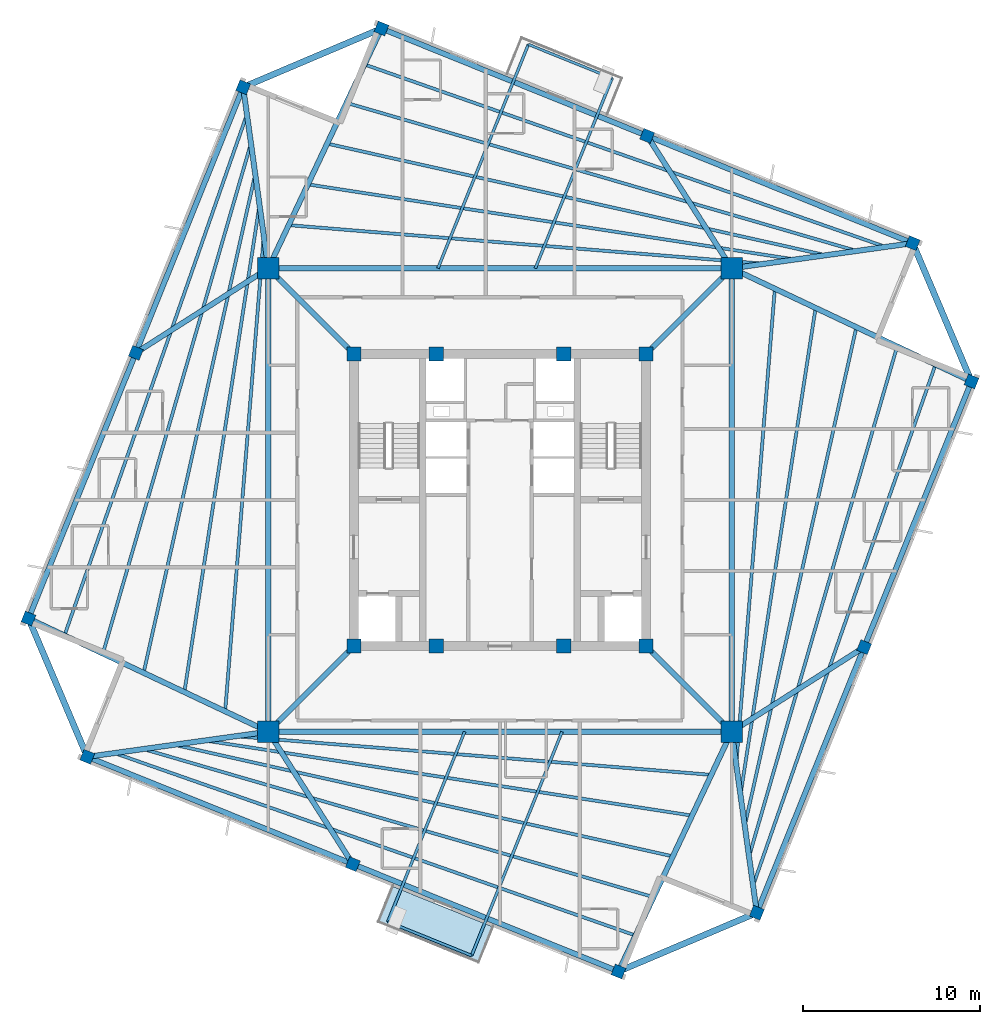
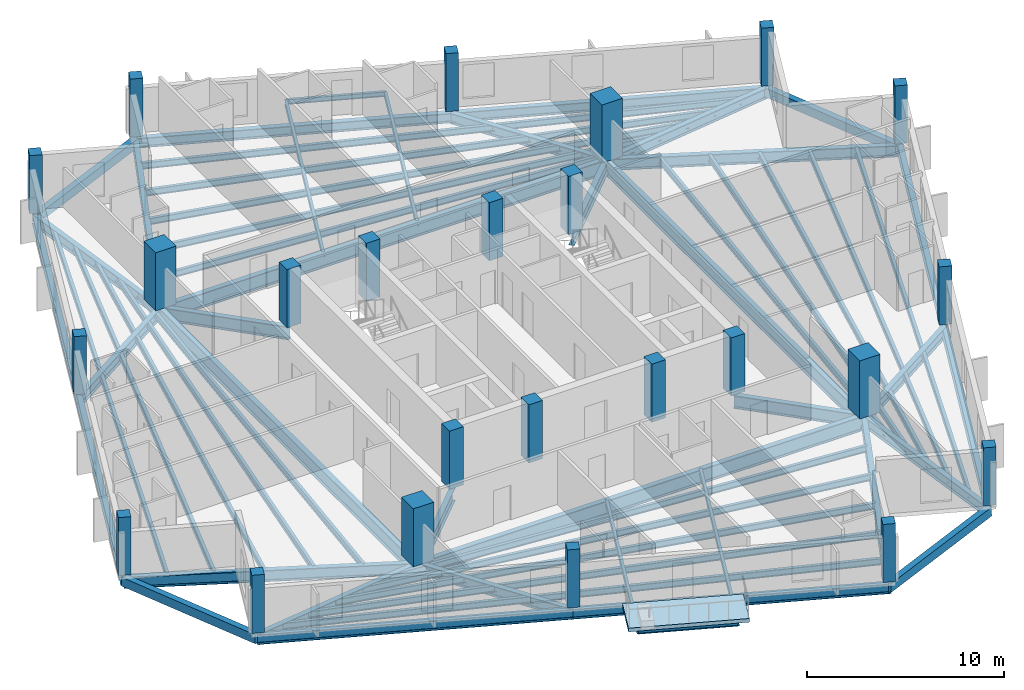
# One storey, part 1 of 9: 58 beams, 24 columns, 1 slab.
"""IFC4 building model written with IfcOpenShell, lengths in metres."""

from ifc_helpers import new_model, si_unit, direction, frame, origin, origin_2d, place, context, subcontext, project, spatial, polyline, rectangle, i_section, outline, extrude, source, transform, mapped, material, layer, layer_set, material_profile, profile_set, type_object, element, save


model = new_model("IFC4")

# Units and contexts
model_context = context("Model", 3, precision=1e-05, world=origin(), true_north=direction((0.0, 1.0)))
body_context = subcontext(model_context, "Body", "Model", "MODEL_VIEW")
ifc_project = project(units=[si_unit("LENGTHUNIT", "METRE"), si_unit("AREAUNIT", "SQUARE_METRE"), si_unit("VOLUMEUNIT", "CUBIC_METRE"), si_unit("PLANEANGLEUNIT", "RADIAN"), si_unit("MASSUNIT", "GRAM", prefix="KILO"), si_unit("THERMODYNAMICTEMPERATUREUNIT", "KELVIN")], contexts=[model_context])

# Site, building, storey
site_placement = place(None, origin())
site = spatial("IfcSite", under=ifc_project, at=site_placement, CompositionType="ELEMENT")
building_placement = place(site_placement, origin())
building = spatial("IfcBuilding", under=site, at=building_placement, Name="Kosmvard Interchange Tower", CompositionType="ELEMENT")
storey_placement = place(building_placement, frame((0.0, 0.0, 276.0)))
storey = spatial("IfcBuildingStorey", under=building, at=storey_placement, Name="L67", CompositionType="ELEMENT", Elevation=276.0)

# Columns
ifc_material_1 = material(Name="Concrete C50/60", Category="concrete")
ifc_material_profile_1 = material_profile(ifc_material_1, rectangle(XDim=0.800048828125, YDim=0.800048828125, at=origin_2d()), Name="CP 800x800")
ifc_profile_set_1 = profile_set([ifc_material_profile_1], Name="Concrete C50/60")
column_type_1 = type_object("IfcColumnType", Name="Core Boundary Pilaster 800x800 C50/60", PredefinedType="PILASTER", material=ifc_profile_set_1)
shared_shape_1 = source(origin(), body_context, "Body", "SweptSolid", [
    extrude(rectangle(XDim=0.800048828125, YDim=0.800048828125, at=origin_2d()), origin(), (0.0, 0.0, 1.0), 3.60009765625),
])
for number, where, z_axis, x_axis, name in (
    (1, (-8.25, -8.25, 0.0), (0.0, 0.0, 1.0), (1.0, 0.0, 0.0), "L67 Core Pilaster CP1"),
    (2, (8.25, -8.25, 0.0), (0.0, 0.0, 1.0), (1.0, 0.0, 0.0), "L67 Core Pilaster CP2"),
    (3, (8.25, 8.25, 0.0), (0.0, 0.0, 1.0), (1.0, 0.0, 0.0), "L67 Core Pilaster CP3"),
    (4, (-8.25, 8.25, 0.0), (0.0, 0.0, 1.0), (1.0, 0.0, 0.0), "L67 Core Pilaster CP4"),
    (5, (-3.60009765625, -8.25, 0.0), (0.0, 0.0, 1.0), (1.0, 0.0, 0.0), "L67 Core Pilaster CP5"),
    (6, (3.60009765625, -8.25, 0.0), (0.0, 0.0, 1.0), (1.0, 0.0, 0.0), "L67 Core Pilaster CP6"),
    (7, (-3.60009765625, 8.25, 0.0), (0.0, 0.0, 1.0), (1.0, 0.0, 0.0), "L67 Core Pilaster CP7"),
    (8, (3.60009765625, 8.25, 0.0), (0.0, 0.0, 1.0), (1.0, 0.0, 0.0), "L67 Core Pilaster CP8"),
):
    element("IfcColumn", number, at=place(storey_placement, frame(where, z_axis=z_axis, x_axis=x_axis)), inside=storey, type_object=column_type_1, Name=name, PredefinedType="PILASTER", context=body_context, shape_type="MappedRepresentation", body=[
        mapped(shared_shape_1, transform((0.0, 0.0, 0.0), scale=1.0)),
    ])
ifc_material_profile_2 = material_profile(ifc_material_1, rectangle(XDim=1.199951171875, YDim=1.199951171875, at=origin_2d()), Name="MC 1200x1200")
ifc_profile_set_2 = profile_set([ifc_material_profile_2], Name="Concrete C50/60")
column_type_2 = type_object("IfcColumnType", Name="Composite Mega-Column 1200x1200 C50/60", PredefinedType="COLUMN", material=ifc_profile_set_2)
shared_shape_2 = source(origin(), body_context, "Body", "SweptSolid", [
    extrude(rectangle(XDim=1.199951171875, YDim=1.199951171875, at=origin_2d()), origin(), (0.0, 0.0, 1.0), 3.60009765625),
])
for number, where, z_axis, x_axis, name in (
    (9, (-13.0810546875, -13.0810546875, 0.0), (0.0, 0.0, 1.0), (1.0, 0.0, 0.0), "L67 Corner Mega-Column MC1"),
    (10, (13.0810546875, -13.0810546875, 0.0), (0.0, 0.0, 1.0), (1.0, 0.0, 0.0), "L67 Corner Mega-Column MC2"),
    (11, (13.0810546875, 13.0810546875, 0.0), (0.0, 0.0, 1.0), (1.0, 0.0, 0.0), "L67 Corner Mega-Column MC3"),
    (12, (-13.0810546875, 13.0810546875, 0.0), (0.0, 0.0, 1.0), (1.0, 0.0, 0.0), "L67 Corner Mega-Column MC4"),
):
    element("IfcColumn", number, at=place(storey_placement, frame(where, z_axis=z_axis, x_axis=x_axis)), inside=storey, type_object=column_type_2, Name=name, PredefinedType="COLUMN", context=body_context, shape_type="MappedRepresentation", body=[
        mapped(shared_shape_2, transform((0.0, 0.0, 0.0), scale=1.0)),
    ])
ifc_material_profile_3 = material_profile(ifc_material_1, rectangle(XDim=0.64990234375, YDim=0.64990234375, at=origin_2d()), Name="TC 650x650")
ifc_profile_set_3 = profile_set([ifc_material_profile_3], Name="Concrete C50/60")
column_type_3 = type_object("IfcColumnType", Name="Zone 5 Perimeter Pier Column 650x650 C50/60", PredefinedType="COLUMN", material=ifc_profile_set_3)
shared_shape_3 = source(origin(), body_context, "Body", "SweptSolid", [
    extrude(rectangle(XDim=0.64990234375, YDim=0.64990234375, at=origin_2d()), origin(), (0.0, 0.0, 1.0), 3.60009765625),
])
for number, where, z_axis, x_axis, name in (
    (13, (14.5009765625, -23.30419921875, 0.0), (0.0, 0.0, 1.0), (0.374606593416, 0.927183854567, 0.0), "L67 Perimeter Pier Column TC-S1"),
    (14, (20.560302734375, -8.306884765625, 0.0), (0.0, 0.0, 1.0), (0.374606593416, 0.927183854567, 0.0), "L67 Perimeter Pier Column TC-S2"),
    (15, (26.61962890625, 6.690185546875, 0.0), (0.0, 0.0, 1.0), (0.374606593416, 0.927183854567, 0.0), "L67 Perimeter Pier Column TC-S3"),
    (16, (23.30419921875, 14.5009765625, 0.0), (0.0, 0.0, 1.0), (0.374606593416, 0.927183854567, 0.0), "L67 Perimeter Pier Column TC-E1"),
    (17, (8.306884765625, 20.560302734375, 0.0), (0.0, 0.0, 1.0), (0.374606593416, 0.927183854567, 0.0), "L67 Perimeter Pier Column TC-E2"),
    (18, (-6.690185546875, 26.61962890625, 0.0), (0.0, 0.0, 1.0), (0.374606593416, 0.927183854567, 0.0), "L67 Perimeter Pier Column TC-E3"),
    (19, (-14.5009765625, 23.30419921875, 0.0), (0.0, 0.0, 1.0), (0.374606593416, 0.927183854567, 0.0), "L67 Perimeter Pier Column TC-N1"),
    (20, (-20.560302734375, 8.306884765625, 0.0), (0.0, 0.0, 1.0), (0.374606593416, 0.927183854567, 0.0), "L67 Perimeter Pier Column TC-N2"),
    (21, (-26.61962890625, -6.690185546875, 0.0), (0.0, 0.0, 1.0), (0.374606593416, 0.927183854567, 0.0), "L67 Perimeter Pier Column TC-N3"),
    (22, (-23.30419921875, -14.5009765625, 0.0), (0.0, 0.0, 1.0), (0.374606593416, 0.927183854567, 0.0), "L67 Perimeter Pier Column TC-W1"),
    (23, (-8.306884765625, -20.560302734375, 0.0), (0.0, 0.0, 1.0), (0.374606593416, 0.927183854567, 0.0), "L67 Perimeter Pier Column TC-W2"),
    (24, (6.690185546875, -26.61962890625, 0.0), (0.0, 0.0, 1.0), (0.374606593416, 0.927183854567, 0.0), "L67 Perimeter Pier Column TC-W3"),
):
    element("IfcColumn", number, at=place(storey_placement, frame(where, z_axis=z_axis, x_axis=x_axis)), inside=storey, type_object=column_type_3, Name=name, PredefinedType="COLUMN", context=body_context, shape_type="MappedRepresentation", body=[
        mapped(shared_shape_3, transform((0.0, 0.0, 0.0), scale=1.0)),
    ])

# Beams
ifc_material_2 = material(Name="Steel S355", Category="steel")
ifc_material_profile_4 = material_profile(ifc_material_2, i_section(OverallWidth=0.14990234375, OverallDepth=0.300048828125, WebThickness=0.007080078125, FlangeThickness=0.0107421875, FilletRadius=0.014892578125, at=origin_2d()), Name="IPE 300")
ifc_profile_set_4 = profile_set([ifc_material_profile_4], Name="Steel S355")
beam_type_1 = type_object("IfcBeamType", Name="Balcony Edge Header Joist IPE 300 S355", PredefinedType="JOIST", material=ifc_profile_set_4)
shared_shape_4 = source(origin(), body_context, "Body", "SweptSolid", [
    extrude(i_section(OverallWidth=0.14990234375, OverallDepth=0.300048828125, WebThickness=0.007080078125, FlangeThickness=0.0107421875, FilletRadius=0.014892578125, at=origin_2d()), origin(), (0.0, 0.0, 1.0), 5.10009765625),
])
for number, where, z_axis, x_axis, name in (
    (25, (6.331298828125, 23.812255859375, -0.39990234375), (-0.927193563684, 0.37458256161, 0.0), (-0.37458256161, -0.927193563684, 0.0), "BM-L67-BJH1"),
    (26, (-6.331298828125, -23.812255859375, -0.39990234375), (0.927193563684, -0.37458256161, 0.0), (0.37458256161, 0.927193563684, 0.0), "BM-L67-BJH2"),
):
    element("IfcBeam", number, at=place(storey_placement, frame(where, z_axis=z_axis, x_axis=x_axis)), inside=storey, type_object=beam_type_1, Name=name, PredefinedType="JOIST", context=body_context, shape_type="MappedRepresentation", body=[
        mapped(shared_shape_4, transform((0.0, 0.0, 0.0), scale=1.0)),
    ])
ifc_material_profile_5 = material_profile(ifc_material_2, i_section(OverallWidth=0.300048828125, OverallDepth=0.800048828125, WebThickness=0.017578125, FlangeThickness=0.032958984375, FilletRadius=0.027099609375, at=origin_2d()), Name="HEB 800")
ifc_profile_set_5 = profile_set([ifc_material_profile_5], Name="Steel S355")
beam_type_2 = type_object("IfcBeamType", Name="Primary Mega-Frame Girder HEB 800 S355", PredefinedType="BEAM", material=ifc_profile_set_5)
shared_shape_5 = source(origin(), body_context, "Body", "SweptSolid", [
    extrude(i_section(OverallWidth=0.300048828125, OverallDepth=0.800048828125, WebThickness=0.017578125, FlangeThickness=0.032958984375, FilletRadius=0.027099609375, at=origin_2d()), origin(), (0.0, 0.0, 1.0), 6.83203125),
])
for number, where, z_axis, x_axis, name in (
    (27, (-8.25, -8.25, -0.64990234375), (-0.707106781187, -0.707106781187, 0.0), (0.707106781187, -0.707106781187, 0.0), "L67 Radial Mega-Frame Girder 1"),
    (28, (8.25, -8.25, -0.64990234375), (0.707106781187, -0.707106781187, 0.0), (0.707106781187, 0.707106781187, 0.0), "L67 Radial Mega-Frame Girder 2"),
    (29, (8.25, 8.25, -0.64990234375), (0.707106781187, 0.707106781187, 0.0), (-0.707106781187, 0.707106781187, 0.0), "L67 Radial Mega-Frame Girder 3"),
    (30, (-8.25, 8.25, -0.64990234375), (-0.707106781187, 0.707106781187, 0.0), (-0.707106781187, -0.707106781187, 0.0), "L67 Radial Mega-Frame Girder 4"),
):
    element("IfcBeam", number, at=place(storey_placement, frame(where, z_axis=z_axis, x_axis=x_axis)), inside=storey, type_object=beam_type_2, Name=name, PredefinedType="BEAM", context=body_context, shape_type="MappedRepresentation", body=[
        mapped(shared_shape_5, transform((0.0, 0.0, 0.0), scale=1.0)),
    ])
ifc_material_profile_6 = material_profile(ifc_material_2, i_section(OverallWidth=0.300048828125, OverallDepth=0.89990234375, WebThickness=0.0185546875, FlangeThickness=0.034912109375, FilletRadius=0.030029296875, at=origin_2d()), Name="HEB 900")
ifc_profile_set_6 = profile_set([ifc_material_profile_6], Name="Steel S355")
beam_type_3 = type_object("IfcBeamType", Name="Mega-Column Ring Girder HEB 900 S355", PredefinedType="BEAM", material=ifc_profile_set_6)
shared_shape_6 = source(origin(), body_context, "Body", "SweptSolid", [
    extrude(i_section(OverallWidth=0.300048828125, OverallDepth=0.89990234375, WebThickness=0.0185546875, FlangeThickness=0.034912109375, FilletRadius=0.030029296875, at=origin_2d()), origin(), (0.0, 0.0, 1.0), 26.162109375),
])
for number, where, z_axis, x_axis, name in (
    (31, (-13.0810546875, -13.0810546875, -0.699951171875), (1.0, 0.0, 0.0), (0.0, 1.0, 0.0), "L67 Mega-Column Ring Girder 1"),
    (32, (13.0810546875, -13.0810546875, -0.699951171875), (0.0, 1.0, 0.0), (-1.0, 0.0, 0.0), "L67 Mega-Column Ring Girder 2"),
    (33, (13.0810546875, 13.0810546875, -0.699951171875), (-1.0, 0.0, 0.0), (0.0, -1.0, 0.0), "L67 Mega-Column Ring Girder 3"),
    (34, (-13.0810546875, 13.0810546875, -0.699951171875), (0.0, -1.0, 0.0), (1.0, 0.0, 0.0), "L67 Mega-Column Ring Girder 4"),
):
    element("IfcBeam", number, at=place(storey_placement, frame(where, z_axis=z_axis, x_axis=x_axis)), inside=storey, type_object=beam_type_3, Name=name, PredefinedType="BEAM", context=body_context, shape_type="MappedRepresentation", body=[
        mapped(shared_shape_6, transform((0.0, 0.0, 0.0), scale=1.0)),
    ])
ifc_material_profile_7 = material_profile(ifc_material_2, i_section(OverallWidth=0.300048828125, OverallDepth=0.60009765625, WebThickness=0.015380859375, FlangeThickness=0.030029296875, FilletRadius=0.027099609375, at=origin_2d()), Name="HEB 600")
ifc_profile_set_7 = profile_set([ifc_material_profile_7], Name="Steel S355")
beam_type_4 = type_object("IfcBeamType", Name="Perimeter Tie Girder HEB 600 S355", PredefinedType="BEAM", material=ifc_profile_set_7)
shared_shape_7 = source(origin(), body_context, "Body", "SweptSolid", [
    extrude(i_section(OverallWidth=0.300048828125, OverallDepth=0.60009765625, WebThickness=0.015380859375, FlangeThickness=0.030029296875, FilletRadius=0.027099609375, at=origin_2d()), origin(), (0.0, 0.0, 1.0), 16.175048828125),
])
for number, where, z_axis, x_axis, name in (
    (35, (14.5009765625, -23.30419921875, -0.550048828125), (0.374607540279, 0.927183472009, 0.0), (-0.927183472009, 0.374607540279, 0.0), "BM-L67-PR01"),
    (36, (23.30419921875, 14.5009765625, -0.550048828125), (-0.927183472009, 0.374607540279, 0.0), (-0.374607540279, -0.927183472009, 0.0), "BM-L67-PR04"),
    (37, (-14.5009765625, 23.30419921875, -0.550048828125), (-0.374607540279, -0.927183472009, 0.0), (0.927183472009, -0.374607540279, 0.0), "BM-L67-PR07"),
    (38, (-23.30419921875, -14.5009765625, -0.550048828125), (0.927183472009, -0.374607540279, 0.0), (0.374607540279, 0.927183472009, 0.0), "BM-L67-PR10"),
):
    element("IfcBeam", number, at=place(storey_placement, frame(where, z_axis=z_axis, x_axis=x_axis)), inside=storey, type_object=beam_type_4, Name=name, PredefinedType="BEAM", context=body_context, shape_type="MappedRepresentation", body=[
        mapped(shared_shape_7, transform((0.0, 0.0, 0.0), scale=1.0)),
    ])
ifc_material_profile_8 = material_profile(ifc_material_2, i_section(OverallWidth=0.300048828125, OverallDepth=0.64990234375, WebThickness=0.01611328125, FlangeThickness=0.031005859375, FilletRadius=0.027099609375, at=origin_2d()), Name="HEB 650")
ifc_profile_set_8 = profile_set([ifc_material_profile_8], Name="Steel S355")
beam_type_5 = type_object("IfcBeamType", Name="Primary Floor Girder HEB 650 S355", PredefinedType="BEAM", material=ifc_profile_set_8)
shared_shape_8 = source(origin(), body_context, "Body", "SweptSolid", [
    extrude(i_section(OverallWidth=0.300048828125, OverallDepth=0.64990234375, WebThickness=0.01611328125, FlangeThickness=0.031005859375, FilletRadius=0.027099609375, at=origin_2d()), origin(), (0.0, 0.0, 1.0), 10.3212890625),
])
for number, where, z_axis, x_axis, name in (
    (39, (13.0810546875, -13.0810546875, -0.574951171875), (0.137572239014, -0.990491735984, 0.0), (0.990491735984, 0.137572239014, 0.0), "BM-L67-RD01"),
    (40, (13.0810546875, 13.0810546875, -0.574951171875), (0.990491735984, 0.137572239014, 0.0), (-0.137572239014, 0.990491735984, 0.0), "BM-L67-RD04"),
    (41, (-13.0810546875, 13.0810546875, -0.574951171875), (-0.137572239014, 0.990491735984, 0.0), (-0.990491735984, -0.137572239014, 0.0), "BM-L67-RD07"),
    (42, (-13.0810546875, -13.0810546875, -0.574951171875), (-0.990491735984, -0.137572239014, 0.0), (0.137572239014, -0.990491735984, 0.0), "BM-L67-RD10"),
):
    element("IfcBeam", number, at=place(storey_placement, frame(where, z_axis=z_axis, x_axis=x_axis)), inside=storey, type_object=beam_type_5, Name=name, PredefinedType="BEAM", context=body_context, shape_type="MappedRepresentation", body=[
        mapped(shared_shape_8, transform((0.0, 0.0, 0.0), scale=1.0)),
    ])
shared_shape_9 = source(origin(), body_context, "Body", "SweptSolid", [
    extrude(i_section(OverallWidth=0.300048828125, OverallDepth=0.60009765625, WebThickness=0.015380859375, FlangeThickness=0.030029296875, FilletRadius=0.027099609375, at=origin_2d()), origin(), (0.0, 0.0, 1.0), 16.1748046875),
])
for number, where, z_axis, x_axis, name in (
    (43, (20.560302734375, -8.306884765625, -0.550048828125), (0.374612782798, 0.92718135387, 0.0), (-0.92718135387, 0.374612782798, 0.0), "BM-L67-PR02"),
    (44, (8.306884765625, 20.560302734375, -0.550048828125), (-0.92718135387, 0.374612782798, 0.0), (-0.374612782798, -0.92718135387, 0.0), "BM-L67-PR05"),
    (45, (-20.560302734375, 8.306884765625, -0.550048828125), (-0.374612782798, -0.92718135387, 0.0), (0.92718135387, -0.374612782798, 0.0), "BM-L67-PR08"),
    (46, (-8.306884765625, -20.560302734375, -0.550048828125), (0.92718135387, -0.374612782798, 0.0), (0.374612782798, 0.92718135387, 0.0), "BM-L67-PR11"),
):
    element("IfcBeam", number, at=place(storey_placement, frame(where, z_axis=z_axis, x_axis=x_axis)), inside=storey, type_object=beam_type_4, Name=name, PredefinedType="BEAM", context=body_context, shape_type="MappedRepresentation", body=[
        mapped(shared_shape_9, transform((0.0, 0.0, 0.0), scale=1.0)),
    ])
shared_shape_10 = source(origin(), body_context, "Body", "SweptSolid", [
    extrude(i_section(OverallWidth=0.300048828125, OverallDepth=0.64990234375, WebThickness=0.01611328125, FlangeThickness=0.031005859375, FilletRadius=0.027099609375, at=origin_2d()), origin(), (0.0, 0.0, 1.0), 8.873046875),
])
for number, where, z_axis, x_axis, name in (
    (47, (13.0810546875, -13.0810546875, -0.574951171875), (0.842912916934, 0.538050011119, 0.0), (-0.538050011119, 0.842912916934, 0.0), "BM-L67-RD02"),
    (48, (13.0810546875, 13.0810546875, -0.574951171875), (-0.538050011119, 0.842912916934, 0.0), (-0.842912916934, -0.538050011119, 0.0), "BM-L67-RD05"),
    (49, (-13.0810546875, 13.0810546875, -0.574951171875), (-0.842912916934, -0.538050011119, 0.0), (0.538050011119, -0.842912916934, 0.0), "BM-L67-RD08"),
    (50, (-13.0810546875, -13.0810546875, -0.574951171875), (0.538050011119, -0.842912916934, 0.0), (0.842912916934, 0.538050011119, 0.0), "BM-L67-RD11"),
):
    element("IfcBeam", number, at=place(storey_placement, frame(where, z_axis=z_axis, x_axis=x_axis)), inside=storey, type_object=beam_type_5, Name=name, PredefinedType="BEAM", context=body_context, shape_type="MappedRepresentation", body=[
        mapped(shared_shape_10, transform((0.0, 0.0, 0.0), scale=1.0)),
    ])
ifc_material_3 = material(Name="Precast concrete C45/55", Category="concrete")
ifc_material_profile_9 = material_profile(ifc_material_3, rectangle(XDim=0.35009765625, YDim=0.550048828125, at=origin_2d()), Name="SL 350x550")
ifc_profile_set_9 = profile_set([ifc_material_profile_9], Name="Precast concrete C45/55")
beam_type_6 = type_object("IfcBeamType", Name="Precast Spandrel Lintel 350x550 C45/55", PredefinedType="LINTEL", material=ifc_profile_set_9)
shared_shape_11 = source(origin(), body_context, "Body", "SweptSolid", [
    extrude(rectangle(XDim=0.35009765625, YDim=0.550048828125, at=origin_2d()), origin(), (0.0, 0.0, 1.0), 8.4853515625),
])
for number, where, z_axis, x_axis, name in (
    (51, (26.61962890625, 6.690185546875, -0.52490234375), (-0.390725696857, 0.920507159025, 0.0), (-0.920507159025, -0.390725696857, 0.0), "BM-L67-SL1"),
    (52, (-6.690185546875, 26.61962890625, -0.52490234375), (-0.920507159025, -0.390725696857, 0.0), (0.390725696857, -0.920507159025, 0.0), "BM-L67-SL2"),
    (53, (-26.61962890625, -6.690185546875, -0.52490234375), (0.390725696857, -0.920507159025, 0.0), (0.920507159025, 0.390725696857, 0.0), "BM-L67-SL3"),
    (54, (6.690185546875, -26.61962890625, -0.52490234375), (0.920507159025, 0.390725696857, 0.0), (-0.390725696857, 0.920507159025, 0.0), "BM-L67-SL4"),
):
    element("IfcBeam", number, at=place(storey_placement, frame(where, z_axis=z_axis, x_axis=x_axis)), inside=storey, type_object=beam_type_6, Name=name, PredefinedType="LINTEL", context=body_context, shape_type="MappedRepresentation", body=[
        mapped(shared_shape_11, transform((0.0, 0.0, 0.0), scale=1.0)),
    ])
ifc_material_profile_10 = material_profile(ifc_material_2, i_section(OverallWidth=0.300048828125, OverallDepth=0.699951171875, WebThickness=0.01708984375, FlangeThickness=0.031982421875, FilletRadius=0.027099609375, at=origin_2d()), Name="HEB 700")
ifc_profile_set_10 = profile_set([ifc_material_profile_10], Name="Steel S355")
beam_type_7 = type_object("IfcBeamType", Name="Primary Floor Girder HEB 700 S355", PredefinedType="BEAM", material=ifc_profile_set_10)
shared_shape_12 = source(origin(), body_context, "Body", "SweptSolid", [
    extrude(i_section(OverallWidth=0.300048828125, OverallDepth=0.699951171875, WebThickness=0.01708984375, FlangeThickness=0.031982421875, FilletRadius=0.027099609375, at=origin_2d()), origin(), (0.0, 0.0, 1.0), 14.97119140625),
])
for number, where, z_axis, x_axis, name in (
    (55, (13.0810546875, 13.0810546875, -0.60009765625), (0.904309155001, -0.426878146761, 0.0), (0.426878146761, 0.904309155001, 0.0), "BM-L67-RD03"),
    (56, (-13.0810546875, 13.0810546875, -0.60009765625), (0.426878146761, 0.904309155001, 0.0), (-0.904309155001, 0.426878146761, 0.0), "BM-L67-RD06"),
    (57, (-13.0810546875, -13.0810546875, -0.60009765625), (-0.904309155001, 0.426878146761, 0.0), (-0.426878146761, -0.904309155001, 0.0), "BM-L67-RD09"),
    (58, (13.0810546875, -13.0810546875, -0.60009765625), (-0.426878146761, -0.904309155001, 0.0), (0.904309155001, -0.426878146761, 0.0), "BM-L67-RD12"),
):
    element("IfcBeam", number, at=place(storey_placement, frame(where, z_axis=z_axis, x_axis=x_axis)), inside=storey, type_object=beam_type_7, Name=name, PredefinedType="BEAM", context=body_context, shape_type="MappedRepresentation", body=[
        mapped(shared_shape_12, transform((0.0, 0.0, 0.0), scale=1.0)),
    ])
ifc_material_profile_11 = material_profile(ifc_material_2, i_section(OverallWidth=0.179931640625, OverallDepth=0.39990234375, WebThickness=0.008544921875, FlangeThickness=0.013427734375, FilletRadius=0.02099609375, at=origin_2d()), Name="IPE 400")
ifc_profile_set_11 = profile_set([ifc_material_profile_11], Name="Steel S355")
beam_type_8 = type_object("IfcBeamType", Name="Upper-Zone Floor Joist IPE 400 S355", PredefinedType="JOIST", material=ifc_profile_set_11)
shared_shape_13 = source(origin(), body_context, "Body", "SweptSolid", [
    extrude(i_section(OverallWidth=0.179931640625, OverallDepth=0.39990234375, WebThickness=0.008544921875, FlangeThickness=0.013427734375, FilletRadius=0.02099609375, at=origin_2d()), origin(), (0.0, 0.0, 1.0), 26.780029296875),
])
for number, where, z_axis, x_axis, name in (
    (59, (13.343017578125, -14.84130859375, -0.449951171875), (0.080972773487, 0.996716313679, 0.0), (-0.996716313679, 0.080972773487, 0.0), "BM-L67-FJ01"),
    (60, (14.84130859375, 13.343017578125, -0.449951171875), (-0.996716313679, 0.080972773487, 0.0), (-0.080972773487, -0.996716313679, 0.0), "BM-L67-FJ06"),
    (61, (-13.343017578125, 14.84130859375, -0.449951171875), (-0.080972773487, -0.996716313679, 0.0), (0.996716313679, -0.080972773487, 0.0), "BM-L67-FJ11"),
    (62, (-14.84130859375, -13.343017578125, -0.449951171875), (0.996716313679, -0.080972773487, 0.0), (0.080972773487, 0.996716313679, 0.0), "BM-L67-FJ16"),
):
    element("IfcBeam", number, at=place(storey_placement, frame(where, z_axis=z_axis, x_axis=x_axis)), inside=storey, type_object=beam_type_8, Name=name, PredefinedType="JOIST", context=body_context, shape_type="MappedRepresentation", body=[
        mapped(shared_shape_13, transform((0.0, 0.0, 0.0), scale=1.0)),
    ])
shared_shape_14 = source(origin(), body_context, "Body", "SweptSolid", [
    extrude(i_section(OverallWidth=0.179931640625, OverallDepth=0.39990234375, WebThickness=0.008544921875, FlangeThickness=0.013427734375, FilletRadius=0.02099609375, at=origin_2d()), origin(), (0.0, 0.0, 1.0), 27.66845703125),
])
for number, where, z_axis, x_axis, name in (
    (63, (13.590087890625, -16.580078125, -0.449951171875), (0.152421855854, 0.988315525456, 0.0), (-0.988315525456, 0.152421855854, 0.0), "BM-L67-FJ02"),
    (64, (16.580078125, 13.590087890625, -0.449951171875), (-0.988315525456, 0.152421855854, 0.0), (-0.152421855854, -0.988315525456, 0.0), "BM-L67-FJ07"),
    (65, (-13.590087890625, 16.580078125, -0.449951171875), (-0.152421855854, -0.988315525456, 0.0), (0.988315525456, -0.152421855854, 0.0), "BM-L67-FJ12"),
    (66, (-16.580078125, -13.590087890625, -0.449951171875), (0.988315525456, -0.152421855854, 0.0), (0.152421855854, 0.988315525456, 0.0), "BM-L67-FJ17"),
):
    element("IfcBeam", number, at=place(storey_placement, frame(where, z_axis=z_axis, x_axis=x_axis)), inside=storey, type_object=beam_type_8, Name=name, PredefinedType="JOIST", context=body_context, shape_type="MappedRepresentation", body=[
        mapped(shared_shape_14, transform((0.0, 0.0, 0.0), scale=1.0)),
    ])
shared_shape_15 = source(origin(), body_context, "Body", "SweptSolid", [
    extrude(i_section(OverallWidth=0.179931640625, OverallDepth=0.39990234375, WebThickness=0.008544921875, FlangeThickness=0.013427734375, FilletRadius=0.02099609375, at=origin_2d()), origin(), (0.0, 0.0, 1.0), 28.691162109375),
])
for number, where, z_axis, x_axis, name in (
    (67, (13.8369140625, -18.31884765625, -0.449951171875), (0.218415018158, 0.975855972899, 0.0), (-0.975855972899, 0.218415018158, 0.0), "BM-L67-FJ03"),
    (68, (18.31884765625, 13.8369140625, -0.449951171875), (-0.975855972899, 0.218415018158, 0.0), (-0.218415018158, -0.975855972899, 0.0), "BM-L67-FJ08"),
    (69, (-13.8369140625, 18.31884765625, -0.449951171875), (-0.218415018158, -0.975855972899, 0.0), (0.975855972899, -0.218415018158, 0.0), "BM-L67-FJ13"),
    (70, (-18.31884765625, -13.8369140625, -0.449951171875), (0.975855972899, -0.218415018158, 0.0), (0.218415018158, 0.975855972899, 0.0), "BM-L67-FJ18"),
):
    element("IfcBeam", number, at=place(storey_placement, frame(where, z_axis=z_axis, x_axis=x_axis)), inside=storey, type_object=beam_type_8, Name=name, PredefinedType="JOIST", context=body_context, shape_type="MappedRepresentation", body=[
        mapped(shared_shape_15, transform((0.0, 0.0, 0.0), scale=1.0)),
    ])
shared_shape_16 = source(origin(), body_context, "Body", "SweptSolid", [
    extrude(i_section(OverallWidth=0.179931640625, OverallDepth=0.39990234375, WebThickness=0.008544921875, FlangeThickness=0.013427734375, FilletRadius=0.02099609375, at=origin_2d()), origin(), (0.0, 0.0, 1.0), 29.83544921875),
])
for number, where, z_axis, x_axis, name in (
    (71, (14.0830078125, -20.05810546875, -0.449951171875), (0.27877586881, 0.960356191717, 0.0), (-0.960356191717, 0.27877586881, 0.0), "BM-L67-FJ04"),
    (72, (20.05810546875, 14.0830078125, -0.449951171875), (-0.960356191717, 0.27877586881, 0.0), (-0.27877586881, -0.960356191717, 0.0), "BM-L67-FJ09"),
    (73, (-14.0830078125, 20.05810546875, -0.449951171875), (-0.27877586881, -0.960356191717, 0.0), (0.960356191717, -0.27877586881, 0.0), "BM-L67-FJ14"),
    (74, (-20.05810546875, -14.0830078125, -0.449951171875), (0.960356191717, -0.27877586881, 0.0), (0.27877586881, 0.960356191717, 0.0), "BM-L67-FJ19"),
):
    element("IfcBeam", number, at=place(storey_placement, frame(where, z_axis=z_axis, x_axis=x_axis)), inside=storey, type_object=beam_type_8, Name=name, PredefinedType="JOIST", context=body_context, shape_type="MappedRepresentation", body=[
        mapped(shared_shape_16, transform((0.0, 0.0, 0.0), scale=1.0)),
    ])
shared_shape_17 = source(origin(), body_context, "Body", "SweptSolid", [
    extrude(i_section(OverallWidth=0.179931640625, OverallDepth=0.39990234375, WebThickness=0.008544921875, FlangeThickness=0.013427734375, FilletRadius=0.02099609375, at=origin_2d()), origin(), (0.0, 0.0, 1.0), 31.0107421875),
])
for number, where, z_axis, x_axis, name in (
    (75, (14.314453125, -21.695068359375, -0.449951171875), (0.330459834828, 0.943820055713, 0.0), (-0.943820055713, 0.330459834828, 0.0), "BM-L67-FJ05"),
    (76, (21.695068359375, 14.314453125, -0.449951171875), (-0.943820055713, 0.330459834828, 0.0), (-0.330459834828, -0.943820055713, 0.0), "BM-L67-FJ10"),
    (77, (-14.314453125, 21.695068359375, -0.449951171875), (-0.330459834828, -0.943820055713, 0.0), (0.943820055713, -0.330459834828, 0.0), "BM-L67-FJ15"),
    (78, (-21.695068359375, -14.314453125, -0.449951171875), (0.943820055713, -0.330459834828, 0.0), (0.330459834828, 0.943820055713, 0.0), "BM-L67-FJ20"),
):
    element("IfcBeam", number, at=place(storey_placement, frame(where, z_axis=z_axis, x_axis=x_axis)), inside=storey, type_object=beam_type_8, Name=name, PredefinedType="JOIST", context=body_context, shape_type="MappedRepresentation", body=[
        mapped(shared_shape_17, transform((0.0, 0.0, 0.0), scale=1.0)),
    ])
ifc_material_profile_12 = material_profile(ifc_material_2, i_section(OverallWidth=0.159912109375, OverallDepth=0.330078125, WebThickness=0.007568359375, FlangeThickness=0.011474609375, FilletRadius=0.01806640625, at=origin_2d()), Name="IPE 330")
ifc_profile_set_12 = profile_set([ifc_material_profile_12], Name="Steel S355")
beam_type_9 = type_object("IfcBeamType", Name="Balcony Cantilever Joist IPE 330 S355", PredefinedType="JOIST", material=ifc_profile_set_12)
shared_shape_18 = source(origin(), body_context, "Body", "SweptSolid", [
    extrude(i_section(OverallWidth=0.159912109375, OverallDepth=0.330078125, WebThickness=0.007568359375, FlangeThickness=0.011474609375, FilletRadius=0.01806640625, at=origin_2d()), origin(), (0.0, 0.0, 1.0), 11.573974609375),
])
for number, where, z_axis, x_axis, name in (
    (79, (1.99560546875, 13.0810546875, -0.4150390625), (0.374607087443, 0.927183654967, 0.0), (-0.927183654967, 0.374607087443, 0.0), "BM-L67-BJ1"),
    (80, (-1.99560546875, -13.0810546875, -0.4150390625), (-0.374607087443, -0.927183654967, 0.0), (0.927183654967, -0.374607087443, 0.0), "BM-L67-BJ2"),
):
    element("IfcBeam", number, at=place(storey_placement, frame(where, z_axis=z_axis, x_axis=x_axis)), inside=storey, type_object=beam_type_9, Name=name, PredefinedType="JOIST", context=body_context, shape_type="MappedRepresentation", body=[
        mapped(shared_shape_18, transform((0.0, 0.0, 0.0), scale=1.0)),
    ])
shared_shape_19 = source(origin(), body_context, "Body", "SweptSolid", [
    extrude(i_section(OverallWidth=0.159912109375, OverallDepth=0.330078125, WebThickness=0.007568359375, FlangeThickness=0.011474609375, FilletRadius=0.01806640625, at=origin_2d()), origin(), (0.0, 0.0, 1.0), 13.63427734375),
])
for number, where, z_axis, x_axis, name in (
    (81, (-3.5048828125, 13.0810546875, -0.4150390625), (0.374599235723, 0.927186827234, 0.0), (-0.927186827234, 0.374599235723, 0.0), "BM-L67-BJB1"),
    (82, (3.5048828125, -13.0810546875, -0.4150390625), (-0.374599235723, -0.927186827234, 0.0), (0.927186827234, -0.374599235723, 0.0), "BM-L67-BJB2"),
):
    element("IfcBeam", number, at=place(storey_placement, frame(where, z_axis=z_axis, x_axis=x_axis)), inside=storey, type_object=beam_type_9, Name=name, PredefinedType="JOIST", context=body_context, shape_type="MappedRepresentation", body=[
        mapped(shared_shape_19, transform((0.0, 0.0, 0.0), scale=1.0)),
    ])

# Slab
ifc_layer = layer(ifc_material_1, 0.22998046875, Name="Concrete C50/60")
ifc_layer_set = layer_set([ifc_layer], Name="Concrete C50/60")
slab_type = type_object("IfcSlabType", Name="Tree-Planter Cantilever Balcony Slab 230 C50/60", PredefinedType="FLOOR", material=ifc_layer_set)
slab_placement = place(storey_placement, frame((0.0, 0.0, -0.22998046875)))
element("IfcSlab", 83, at=slab_placement, inside=storey, type_object=slab_type, Name="L67 Outdoor Terrace Balcony Slab BAL-L67-W", PredefinedType="FLOOR", context=body_context, shape_type="SweptSolid", body=[
    extrude(outline(polyline([(-1.186279296875, -26.160400390625), (-0.362060546875, -24.12060546875), (-6.110595703125, -21.798095703125), (-6.934814453125, -23.837890625), (-1.186279296875, -26.160400390625)])), origin(), (0.0, 0.0, 1.0), 0.22998046875),
])

save(model, "model.ifc")
